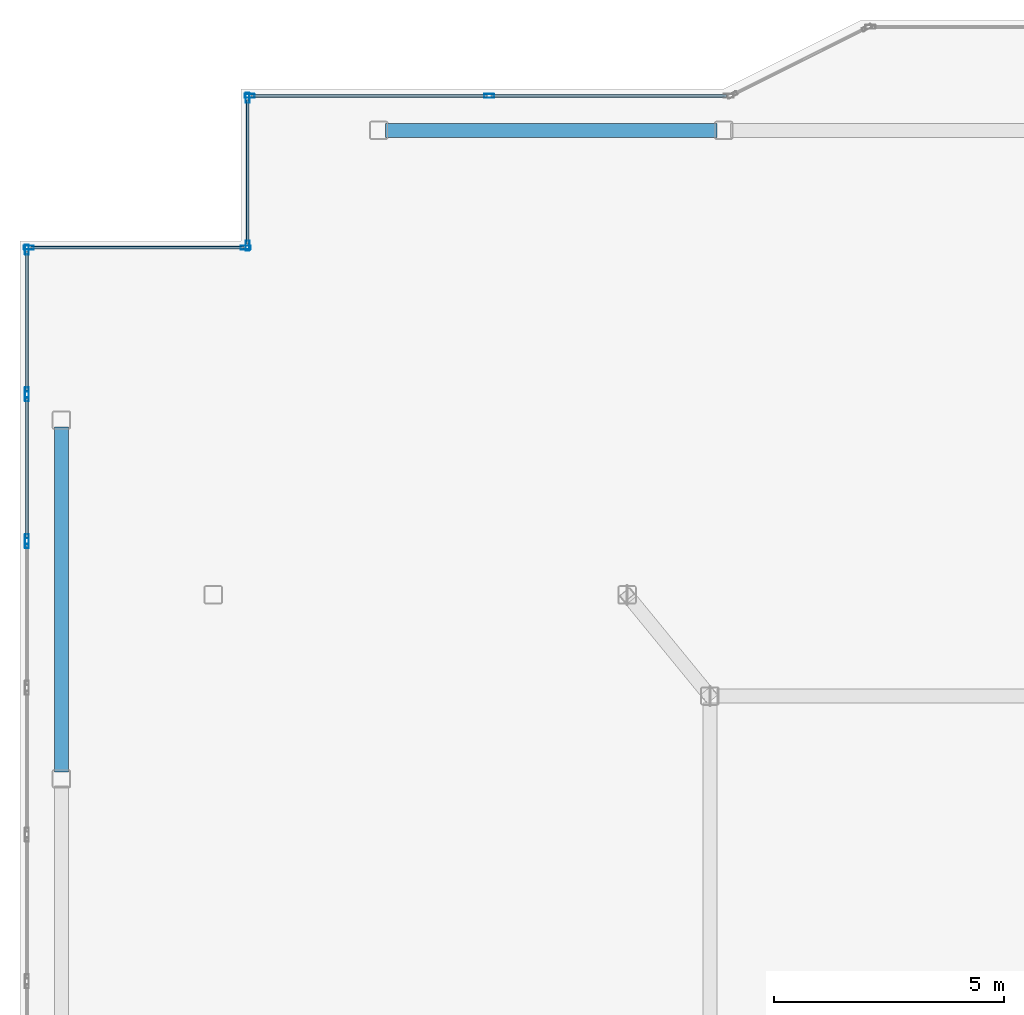
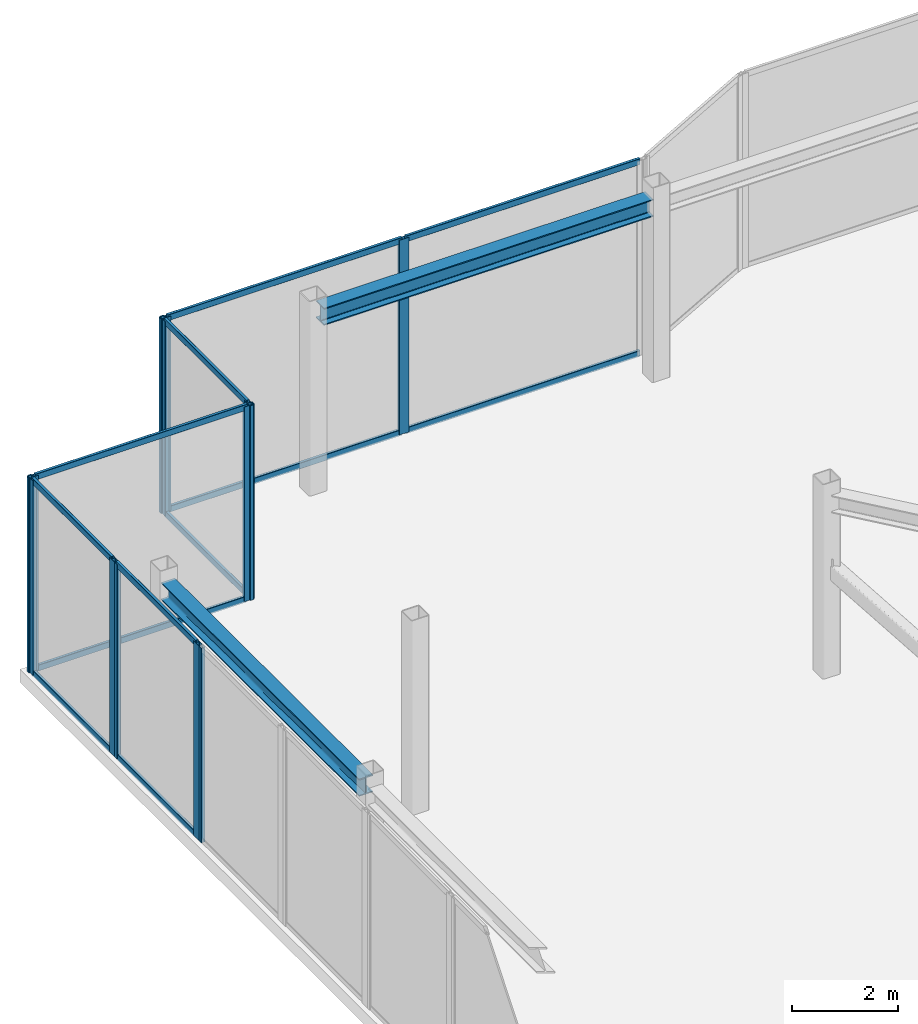
# One storey, part 10 of 14: 23 members, 2 beams, 6 elements without a shape of their own.
"""IFC4 building model written with IfcOpenShell, lengths in metres."""

from ifc_helpers import new_model, si_unit, direction, frame, origin, origin_2d, place, context, subcontext, project, spatial, hollow_rectangle, i_section, extrude, material, layer, layer_set, material_profile, profile_set, type_object, element, aggregate, save


model = new_model("IFC4")

# Units and contexts
model_context = context("Model", 3, precision=1e-05, world=origin(), true_north=direction((0.0, 1.0)))
body_context = subcontext(model_context, "Body", "Model", "MODEL_VIEW")
ifc_project = project(units=[si_unit("LENGTHUNIT", "METRE"), si_unit("AREAUNIT", "SQUARE_METRE"), si_unit("VOLUMEUNIT", "CUBIC_METRE"), si_unit("PLANEANGLEUNIT", "RADIAN"), si_unit("MASSUNIT", "GRAM", prefix="KILO")], contexts=[model_context])

# Site, building, storey
site_placement = place(None, origin())
site = spatial("IfcSite", under=ifc_project, at=site_placement, CompositionType="ELEMENT")
building_placement = place(site_placement, origin())
building = spatial("IfcBuilding", under=site, at=building_placement, Name="Tarnavaz Court Tower", CompositionType="ELEMENT")
storey_placement = place(building_placement, frame((0.0, 0.0, 286.050048828125)))
storey = spatial("IfcBuildingStorey", under=building, at=storey_placement, Name="C02", CompositionType="ELEMENT", Elevation=286.050048828125)

# Beams
ifc_material_1 = material(Name="Steel S355", Category="steel")
ifc_material_profile_1 = material_profile(ifc_material_1, i_section(OverallWidth=0.300048828125, OverallDepth=0.39990234375, WebThickness=0.013427734375, FlangeThickness=0.02392578125, FilletRadius=0.027099609375, at=origin_2d()), Name="HEB 400")
ifc_profile_set_1 = profile_set([ifc_material_profile_1], Name="Steel S355")
beam_type = type_object("IfcBeamType", Name="BM-G-HEB400", PredefinedType="USERDEFINED", material=ifc_profile_set_1)
beam_1_placement = place(storey_placement, frame((-14.85009765625, 20.10009765625, 4.0), z_axis=(1.0, 0.0, 0.0), x_axis=(0.0, 1.0, 0.0)))
element("IfcBeam", 1, at=beam_1_placement, inside=storey, type_object=beam_type, Name="C02 Beam CRG-PN-1-PN-2", ObjectType="GIRDER", PredefinedType="USERDEFINED", context=body_context, shape_type="SweptSolid", body=[
    extrude(i_section(OverallWidth=0.300048828125, OverallDepth=0.39990234375, WebThickness=0.013427734375, FlangeThickness=0.02392578125, FilletRadius=0.027099609375, at=origin_2d()), origin(), (0.0, 0.0, 1.0), 7.2001953125),
])
beam_2_placement = place(storey_placement, frame((-21.89990234375, 6.14990234375, 4.0), z_axis=(0.0, 1.0, 0.0), x_axis=(-1.0, 0.0, 0.0)))
element("IfcBeam", 2, at=beam_2_placement, inside=storey, type_object=beam_type, Name="C02 Beam CRG-PW-3-PW-4", ObjectType="GIRDER", PredefinedType="USERDEFINED", context=body_context, shape_type="SweptSolid", body=[
    extrude(i_section(OverallWidth=0.300048828125, OverallDepth=0.39990234375, WebThickness=0.013427734375, FlangeThickness=0.02392578125, FilletRadius=0.027099609375, at=origin_2d()), origin(), (0.0, 0.0, 1.0), 7.5),
])

# Curtain wall, member
ifc_material_2 = material(Name="Anodised Aluminium 6063-T6 and Solar Low-E Glazing", Category="aluminium")
ifc_layer = layer(ifc_material_2, 0.2099609375)
ifc_layer_set = layer_set([ifc_layer], Name="Anodised Aluminium 6063-T6 and Solar Low-E Glazing")
curtain_wall_type = type_object("IfcCurtainWallType", Name="CW-SYS-06", PredefinedType="NOTDEFINED", material=ifc_layer_set)
curtain_wall_1_placement = place(storey_placement, origin())
curtain_wall_1 = element("IfcCurtainWall", 3, at=curtain_wall_1_placement, inside=storey, type_object=curtain_wall_type, Name="C02 Slanted Crown Terracotta Curtain Wall 12", PredefinedType="NOTDEFINED")
ifc_material_3 = material(Name="Anodised Aluminium 6063-T6", Category="aluminium")
ifc_material_profile_2 = material_profile(ifc_material_3, hollow_rectangle(XDim=0.0849609375, YDim=0.219970703125, WallThickness=0.006103515625, InnerFilletRadius=0.006103515625, OuterFilletRadius=0.011962890625, at=origin_2d()), Name="ALU RHS 220X85X6")
ifc_profile_set_2 = profile_set([ifc_material_profile_2], Name="Anodised Aluminium 6063-T6")
member_type_1 = type_object("IfcMemberType", Name="CW-MUL-220", PredefinedType="MULLION", material=ifc_profile_set_2)
member_1_placement = place(storey_placement, frame((-22.64990234375, 11.125732421875, 0.0), z_axis=(0.0, 0.0, 1.0), x_axis=(-1.0, 0.0, 0.0)))
member_1 = element("IfcMember", 4, at=member_1_placement, type_object=member_type_1, Name="CW mullion 2", PredefinedType="MULLION", context=body_context, shape_type="SweptSolid", body=[
    extrude(hollow_rectangle(XDim=0.0849609375, YDim=0.219970703125, WallThickness=0.006103515625, InnerFilletRadius=0.006103515625, OuterFilletRadius=0.011962890625, at=origin_2d()), origin(), (0.0, 0.0, 1.0), 4.5),
])
aggregate(curtain_wall_1, [member_1])

# Curtain wall, members
curtain_wall_2_placement = place(storey_placement, origin())
curtain_wall_2 = element("IfcCurtainWall", 5, at=curtain_wall_2_placement, inside=storey, type_object=curtain_wall_type, Name="C02 Slanted Crown Terracotta Curtain Wall 13", PredefinedType="NOTDEFINED")
member_2_placement = place(storey_placement, frame((-22.64990234375, 11.210693359375, 0.0), z_axis=(0.0, 0.0, 1.0), x_axis=(-1.0, 0.0, 0.0)))
member_2 = element("IfcMember", 6, at=member_2_placement, type_object=member_type_1, Name="CW mullion 1", PredefinedType="MULLION", context=body_context, shape_type="SweptSolid", body=[
    extrude(hollow_rectangle(XDim=0.0849609375, YDim=0.219970703125, WallThickness=0.006103515625, InnerFilletRadius=0.006103515625, OuterFilletRadius=0.011962890625, at=origin_2d()), origin(), (0.0, 0.0, 1.0), 4.5),
])
member_3_placement = place(storey_placement, frame((-22.64990234375, 14.316650390625, 0.0), z_axis=(0.0, 0.0, 1.0), x_axis=(-1.0, 0.0, 0.0)))
member_3 = element("IfcMember", 7, at=member_3_placement, type_object=member_type_1, Name="CW mullion 2", PredefinedType="MULLION", context=body_context, shape_type="SweptSolid", body=[
    extrude(hollow_rectangle(XDim=0.0849609375, YDim=0.219970703125, WallThickness=0.006103515625, InnerFilletRadius=0.006103515625, OuterFilletRadius=0.011962890625, at=origin_2d()), origin(), (0.0, 0.0, 1.0), 4.5),
])

curtain_wall_3_placement = place(storey_placement, origin())
curtain_wall_3 = element("IfcCurtainWall", 8, at=curtain_wall_3_placement, inside=storey, type_object=curtain_wall_type, Name="C02 Slanted Crown Terracotta Curtain Wall 14", PredefinedType="NOTDEFINED")
member_4_placement = place(storey_placement, frame((-22.64990234375, 14.401611328125, 0.0), z_axis=(0.0, 0.0, 1.0), x_axis=(-1.0, 0.0, 0.0)))
member_4 = element("IfcMember", 9, at=member_4_placement, type_object=member_type_1, Name="CW mullion 1", PredefinedType="MULLION", context=body_context, shape_type="SweptSolid", body=[
    extrude(hollow_rectangle(XDim=0.0849609375, YDim=0.219970703125, WallThickness=0.006103515625, InnerFilletRadius=0.006103515625, OuterFilletRadius=0.011962890625, at=origin_2d()), origin(), (0.0, 0.0, 1.0), 4.5),
])
member_5_placement = place(storey_placement, frame((-22.64990234375, 17.507568359375, 0.0), z_axis=(0.0, 0.0, 1.0), x_axis=(-1.0, 0.0, 0.0)))
member_5 = element("IfcMember", 10, at=member_5_placement, type_object=member_type_1, Name="CW mullion 2", PredefinedType="MULLION", context=body_context, shape_type="SweptSolid", body=[
    extrude(hollow_rectangle(XDim=0.0849609375, YDim=0.219970703125, WallThickness=0.006103515625, InnerFilletRadius=0.006103515625, OuterFilletRadius=0.011962890625, at=origin_2d()), origin(), (0.0, 0.0, 1.0), 4.5),
])

curtain_wall_4_placement = place(storey_placement, origin())
curtain_wall_4 = element("IfcCurtainWall", 11, at=curtain_wall_4_placement, inside=storey, type_object=curtain_wall_type, Name="C02 Slanted Crown Terracotta Curtain Wall 15", PredefinedType="NOTDEFINED")
member_6_placement = place(storey_placement, frame((-22.607421875, 17.550048828125, 0.0), z_axis=(0.0, 0.0, 1.0), x_axis=(0.0, 1.0, 0.0)))
member_6 = element("IfcMember", 12, at=member_6_placement, type_object=member_type_1, Name="CW mullion 1", PredefinedType="MULLION", context=body_context, shape_type="SweptSolid", body=[
    extrude(hollow_rectangle(XDim=0.0849609375, YDim=0.219970703125, WallThickness=0.006103515625, InnerFilletRadius=0.006103515625, OuterFilletRadius=0.011962890625, at=origin_2d()), origin(), (0.0, 0.0, 1.0), 4.5),
])
member_7_placement = place(storey_placement, frame((-17.892578125, 17.550048828125, 0.0), z_axis=(0.0, 0.0, 1.0), x_axis=(0.0, 1.0, 0.0)))
member_7 = element("IfcMember", 13, at=member_7_placement, type_object=member_type_1, Name="CW mullion 2", PredefinedType="MULLION", context=body_context, shape_type="SweptSolid", body=[
    extrude(hollow_rectangle(XDim=0.0849609375, YDim=0.219970703125, WallThickness=0.006103515625, InnerFilletRadius=0.006103515625, OuterFilletRadius=0.011962890625, at=origin_2d()), origin(), (0.0, 0.0, 1.0), 4.5),
])

curtain_wall_5_placement = place(storey_placement, origin())
curtain_wall_5 = element("IfcCurtainWall", 14, at=curtain_wall_5_placement, inside=storey, type_object=curtain_wall_type, Name="C02 Slanted Crown Terracotta Curtain Wall 16", PredefinedType="NOTDEFINED")
member_8_placement = place(storey_placement, frame((-17.85009765625, 17.592529296875, 0.0), z_axis=(0.0, 0.0, 1.0), x_axis=(-1.0, 0.0, 0.0)))
member_8 = element("IfcMember", 15, at=member_8_placement, type_object=member_type_1, Name="CW mullion 1", PredefinedType="MULLION", context=body_context, shape_type="SweptSolid", body=[
    extrude(hollow_rectangle(XDim=0.0849609375, YDim=0.219970703125, WallThickness=0.006103515625, InnerFilletRadius=0.006103515625, OuterFilletRadius=0.011962890625, at=origin_2d()), origin(), (0.0, 0.0, 1.0), 4.5),
])
member_9_placement = place(storey_placement, frame((-17.85009765625, 20.8076171875, 0.0), z_axis=(0.0, 0.0, 1.0), x_axis=(-1.0, 0.0, 0.0)))
member_9 = element("IfcMember", 16, at=member_9_placement, type_object=member_type_1, Name="CW mullion 2", PredefinedType="MULLION", context=body_context, shape_type="SweptSolid", body=[
    extrude(hollow_rectangle(XDim=0.0849609375, YDim=0.219970703125, WallThickness=0.006103515625, InnerFilletRadius=0.006103515625, OuterFilletRadius=0.011962890625, at=origin_2d()), origin(), (0.0, 0.0, 1.0), 4.5),
])

curtain_wall_6_placement = place(storey_placement, origin())
curtain_wall_6 = element("IfcCurtainWall", 17, at=curtain_wall_6_placement, inside=storey, type_object=curtain_wall_type, Name="C02 Slanted Crown Terracotta Curtain Wall 17", PredefinedType="NOTDEFINED")
member_10_placement = place(storey_placement, frame((-17.8076171875, 20.85009765625, 0.0), z_axis=(0.0, 0.0, 1.0), x_axis=(0.0, 1.0, 0.0)))
member_10 = element("IfcMember", 18, at=member_10_placement, type_object=member_type_1, Name="CW mullion 1", PredefinedType="MULLION", context=body_context, shape_type="SweptSolid", body=[
    extrude(hollow_rectangle(XDim=0.0849609375, YDim=0.219970703125, WallThickness=0.006103515625, InnerFilletRadius=0.006103515625, OuterFilletRadius=0.011962890625, at=origin_2d()), origin(), (0.0, 0.0, 1.0), 4.5),
])
member_11_placement = place(storey_placement, frame((-12.60009765625, 20.85009765625, 0.0), z_axis=(0.0, 0.0, 1.0), x_axis=(0.0, 1.0, 0.0)))
member_11 = element("IfcMember", 19, at=member_11_placement, type_object=member_type_1, Name="CW mullion 2", PredefinedType="MULLION", context=body_context, shape_type="SweptSolid", body=[
    extrude(hollow_rectangle(XDim=0.0849609375, YDim=0.219970703125, WallThickness=0.006103515625, InnerFilletRadius=0.006103515625, OuterFilletRadius=0.011962890625, at=origin_2d()), origin(), (0.0, 0.0, 1.0), 4.5),
])

# Member
ifc_material_profile_3 = material_profile(ifc_material_3, hollow_rectangle(XDim=0.06494140625, YDim=0.139892578125, WallThickness=0.00390625, InnerFilletRadius=0.00390625, OuterFilletRadius=0.008056640625, at=origin_2d()), Name="ALU RHS 140X65X4")
ifc_profile_set_3 = profile_set([ifc_material_profile_3], Name="Anodised Aluminium 6063-T6")
member_type_2 = type_object("IfcMemberType", Name="CW-TRN-140", PredefinedType="USERDEFINED", material=ifc_profile_set_3)
member_12_placement = place(storey_placement, frame((-22.64990234375, 11.253173828125, 0.032470703125), z_axis=(0.0, 1.0, 0.0), x_axis=(-1.0, 0.0, 0.0)))
member_12 = element("IfcMember", 20, at=member_12_placement, type_object=member_type_2, Name="CW transom 1.1", ObjectType="TRANSOM", PredefinedType="USERDEFINED", context=body_context, shape_type="SweptSolid", body=[
    extrude(hollow_rectangle(XDim=0.06494140625, YDim=0.139892578125, WallThickness=0.00390625, InnerFilletRadius=0.00390625, OuterFilletRadius=0.008056640625, at=origin_2d()), origin(), (0.0, 0.0, 1.0), 3.02099609375),
])

member_13_placement = place(storey_placement, frame((-22.64990234375, 11.253173828125, 4.467529296875), z_axis=(0.0, 1.0, 0.0), x_axis=(-1.0, 0.0, 0.0)))
member_13 = element("IfcMember", 21, at=member_13_placement, type_object=member_type_2, Name="CW transom 1.2", ObjectType="TRANSOM", PredefinedType="USERDEFINED", context=body_context, shape_type="SweptSolid", body=[
    extrude(hollow_rectangle(XDim=0.06494140625, YDim=0.139892578125, WallThickness=0.00390625, InnerFilletRadius=0.00390625, OuterFilletRadius=0.008056640625, at=origin_2d()), origin(), (0.0, 0.0, 1.0), 3.02099609375),
])

aggregate(curtain_wall_2, [member_2, member_3, member_12, member_13])

member_14_placement = place(storey_placement, frame((-22.64990234375, 14.444091796875, 0.032470703125), z_axis=(0.0, 1.0, 0.0), x_axis=(-1.0, 0.0, 0.0)))
member_14 = element("IfcMember", 22, at=member_14_placement, type_object=member_type_2, Name="CW transom 1.1", ObjectType="TRANSOM", PredefinedType="USERDEFINED", context=body_context, shape_type="SweptSolid", body=[
    extrude(hollow_rectangle(XDim=0.06494140625, YDim=0.139892578125, WallThickness=0.00390625, InnerFilletRadius=0.00390625, OuterFilletRadius=0.008056640625, at=origin_2d()), origin(), (0.0, 0.0, 1.0), 3.02099609375),
])

member_15_placement = place(storey_placement, frame((-22.64990234375, 14.444091796875, 4.467529296875), z_axis=(0.0, 1.0, 0.0), x_axis=(-1.0, 0.0, 0.0)))
member_15 = element("IfcMember", 23, at=member_15_placement, type_object=member_type_2, Name="CW transom 1.2", ObjectType="TRANSOM", PredefinedType="USERDEFINED", context=body_context, shape_type="SweptSolid", body=[
    extrude(hollow_rectangle(XDim=0.06494140625, YDim=0.139892578125, WallThickness=0.00390625, InnerFilletRadius=0.00390625, OuterFilletRadius=0.008056640625, at=origin_2d()), origin(), (0.0, 0.0, 1.0), 3.02099609375),
])

aggregate(curtain_wall_3, [member_4, member_5, member_14, member_15])

member_16_placement = place(storey_placement, frame((-22.56494140625, 17.550048828125, 0.032470703125), z_axis=(1.0, 0.0, 0.0), x_axis=(0.0, 1.0, 0.0)))
member_16 = element("IfcMember", 24, at=member_16_placement, type_object=member_type_2, Name="CW transom 1.1", ObjectType="TRANSOM", PredefinedType="USERDEFINED", context=body_context, shape_type="SweptSolid", body=[
    extrude(hollow_rectangle(XDim=0.06494140625, YDim=0.139892578125, WallThickness=0.00390625, InnerFilletRadius=0.00390625, OuterFilletRadius=0.008056640625, at=origin_2d()), origin(), (0.0, 0.0, 1.0), 4.6298828125),
])

member_17_placement = place(storey_placement, frame((-22.56494140625, 17.550048828125, 4.467529296875), z_axis=(1.0, 0.0, 0.0), x_axis=(0.0, 1.0, 0.0)))
member_17 = element("IfcMember", 25, at=member_17_placement, type_object=member_type_2, Name="CW transom 1.2", ObjectType="TRANSOM", PredefinedType="USERDEFINED", context=body_context, shape_type="SweptSolid", body=[
    extrude(hollow_rectangle(XDim=0.06494140625, YDim=0.139892578125, WallThickness=0.00390625, InnerFilletRadius=0.00390625, OuterFilletRadius=0.008056640625, at=origin_2d()), origin(), (0.0, 0.0, 1.0), 4.6298828125),
])

aggregate(curtain_wall_4, [member_6, member_7, member_16, member_17])

member_18_placement = place(storey_placement, frame((-17.85009765625, 17.635009765625, 0.032470703125), z_axis=(0.0, 1.0, 0.0), x_axis=(-1.0, 0.0, 0.0)))
member_18 = element("IfcMember", 26, at=member_18_placement, type_object=member_type_2, Name="CW transom 1.1", ObjectType="TRANSOM", PredefinedType="USERDEFINED", context=body_context, shape_type="SweptSolid", body=[
    extrude(hollow_rectangle(XDim=0.06494140625, YDim=0.139892578125, WallThickness=0.00390625, InnerFilletRadius=0.00390625, OuterFilletRadius=0.008056640625, at=origin_2d()), origin(), (0.0, 0.0, 1.0), 3.1298828125),
])

member_19_placement = place(storey_placement, frame((-17.85009765625, 17.635009765625, 4.467529296875), z_axis=(0.0, 1.0, 0.0), x_axis=(-1.0, 0.0, 0.0)))
member_19 = element("IfcMember", 27, at=member_19_placement, type_object=member_type_2, Name="CW transom 1.2", ObjectType="TRANSOM", PredefinedType="USERDEFINED", context=body_context, shape_type="SweptSolid", body=[
    extrude(hollow_rectangle(XDim=0.06494140625, YDim=0.139892578125, WallThickness=0.00390625, InnerFilletRadius=0.00390625, OuterFilletRadius=0.008056640625, at=origin_2d()), origin(), (0.0, 0.0, 1.0), 3.1298828125),
])

aggregate(curtain_wall_5, [member_8, member_9, member_18, member_19])

member_20_placement = place(storey_placement, frame((-17.764892578125, 20.85009765625, 0.032470703125), z_axis=(1.0, 0.0, 0.0), x_axis=(0.0, 1.0, 0.0)))
member_20 = element("IfcMember", 28, at=member_20_placement, type_object=member_type_2, Name="CW transom 1.1", ObjectType="TRANSOM", PredefinedType="USERDEFINED", context=body_context, shape_type="SweptSolid", body=[
    extrude(hollow_rectangle(XDim=0.06494140625, YDim=0.139892578125, WallThickness=0.00390625, InnerFilletRadius=0.00390625, OuterFilletRadius=0.008056640625, at=origin_2d()), origin(), (0.0, 0.0, 1.0), 5.122314453125),
])

member_21_placement = place(storey_placement, frame((-17.764892578125, 20.85009765625, 4.467529296875), z_axis=(1.0, 0.0, 0.0), x_axis=(0.0, 1.0, 0.0)))
member_21 = element("IfcMember", 29, at=member_21_placement, type_object=member_type_2, Name="CW transom 1.2", ObjectType="TRANSOM", PredefinedType="USERDEFINED", context=body_context, shape_type="SweptSolid", body=[
    extrude(hollow_rectangle(XDim=0.06494140625, YDim=0.139892578125, WallThickness=0.00390625, InnerFilletRadius=0.00390625, OuterFilletRadius=0.008056640625, at=origin_2d()), origin(), (0.0, 0.0, 1.0), 5.122314453125),
])

member_22_placement = place(storey_placement, frame((-12.5576171875, 20.85009765625, 0.032470703125), z_axis=(1.0, 0.0, 0.0), x_axis=(0.0, 1.0, 0.0)))
member_22 = element("IfcMember", 30, at=member_22_placement, type_object=member_type_2, Name="CW transom 2.1", ObjectType="TRANSOM", PredefinedType="USERDEFINED", context=body_context, shape_type="SweptSolid", body=[
    extrude(hollow_rectangle(XDim=0.06494140625, YDim=0.139892578125, WallThickness=0.00390625, InnerFilletRadius=0.00390625, OuterFilletRadius=0.008056640625, at=origin_2d()), origin(), (0.0, 0.0, 1.0), 5.12255859375),
])

member_23_placement = place(storey_placement, frame((-12.5576171875, 20.85009765625, 4.467529296875), z_axis=(1.0, 0.0, 0.0), x_axis=(0.0, 1.0, 0.0)))
member_23 = element("IfcMember", 31, at=member_23_placement, type_object=member_type_2, Name="CW transom 2.2", ObjectType="TRANSOM", PredefinedType="USERDEFINED", context=body_context, shape_type="SweptSolid", body=[
    extrude(hollow_rectangle(XDim=0.06494140625, YDim=0.139892578125, WallThickness=0.00390625, InnerFilletRadius=0.00390625, OuterFilletRadius=0.008056640625, at=origin_2d()), origin(), (0.0, 0.0, 1.0), 5.12255859375),
])

aggregate(curtain_wall_6, [member_10, member_11, member_20, member_21, member_22, member_23])

save(model, "model.ifc")
